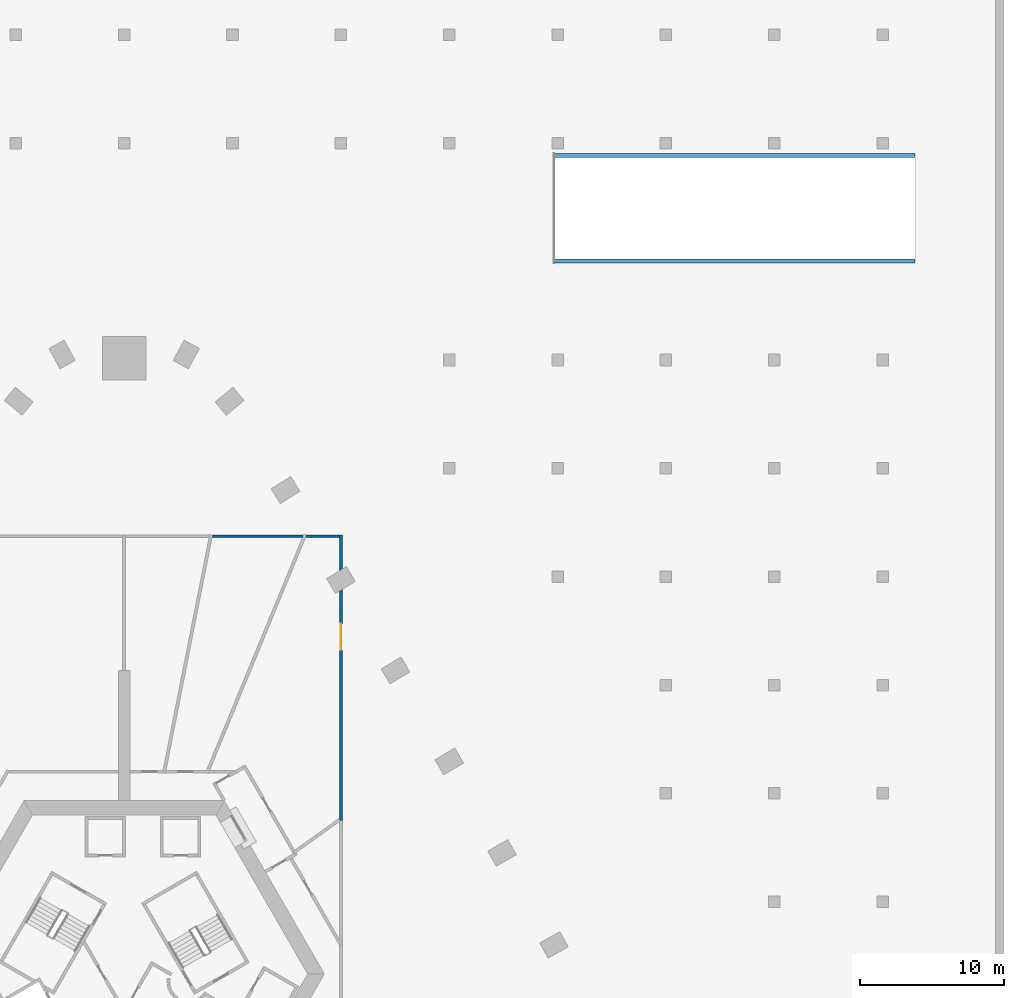
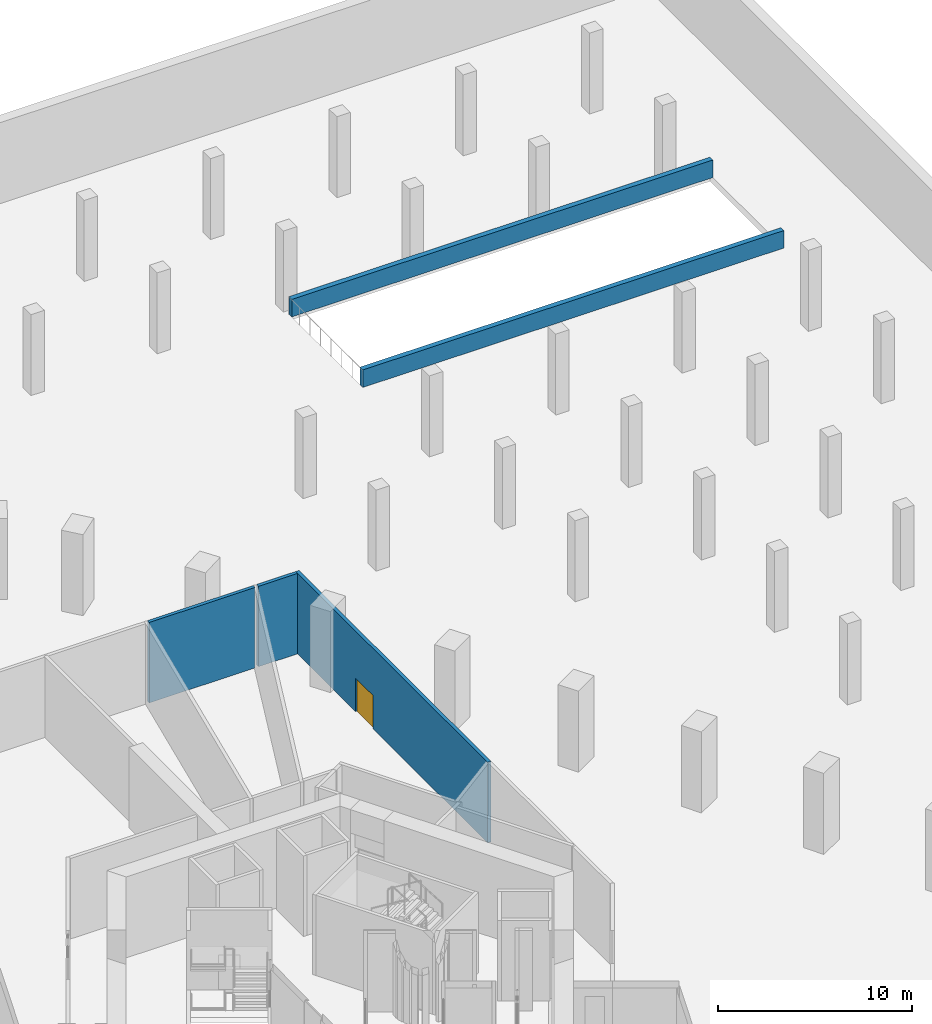
# One storey, part 8 of 12: 5 walls, 1 door, 1 opening.
"""IFC4 building model written with IfcOpenShell, lengths in metres."""

import ifcopenshell
import ifcopenshell.guid

model = None  # the IFC model being written
_history = None  # IfcOwnerHistory: only IFC2X3 demands one
_inside = {}  # id of a spatial element -> (the spatial element, [elements in it])
_under = {}  # id of a project, library or spatial element -> (it, [spatial elements below it])
_declared = {}  # id of a project -> (the project, [libraries it declares])
_typed = {}  # id of a type object -> (the type object, [elements of that type])
_made_of = {}  # id of a material, layer set ... -> (it, [elements and type objects made of it])


def new_model(schema):
    """Start an empty IFC model of exactly this schema.

    Asked for "IFC4X3", IfcOpenShell would pick the latest addendum, in which some entities
    have other attributes; the version numbers below select the first issue.
    IFC2X3 requires an IfcOwnerHistory on every rooted entity: one is made here for all.
    """
    global model, _history
    if schema == "IFC4X3":
        model = ifcopenshell.file(schema_version=(4, 3, 0, 0))
    else:
        model = ifcopenshell.file(schema=schema)
    _inside.clear()
    _under.clear()
    _declared.clear()
    _typed.clear()
    _made_of.clear()
    _history = None
    if model.schema == "IFC2X3":
        org = make("IfcOrganization", Name="unknown")
        user = make(
            "IfcPersonAndOrganization",
            ThePerson=make("IfcPerson", FamilyName="unknown"),
            TheOrganization=org,
        )
        app = make(
            "IfcApplication",
            ApplicationDeveloper=org,
            Version="unknown",
            ApplicationFullName="unknown",
            ApplicationIdentifier="unknown",
        )
        _history = make(
            "IfcOwnerHistory",
            OwningUser=user,
            OwningApplication=app,
            ChangeAction="ADDED",
            CreationDate=0,
        )
    return model


def make(cls, **values):
    """One entity of the class cls with the attributes given. An attribute that is None is left unset."""
    return model.create_entity(
        cls, **{name: value for name, value in values.items() if value is not None}
    )


def rooted(cls, **values):
    """An entity with a GlobalId (a new one), such as an element, a storey or a relation."""
    return make(cls, GlobalId=ifcopenshell.guid.new(), OwnerHistory=_history, **values)


def si_unit(unit_type, name, prefix=None):
    """IfcSIUnit, for example si_unit("LENGTHUNIT", "METRE", prefix="MILLI")."""
    return make("IfcSIUnit", UnitType=unit_type, Prefix=prefix, Name=name)


def assignment(units):
    """IfcUnitAssignment: the units of a project."""
    return None if units is None else make("IfcUnitAssignment", Units=units)


def point(xyz):
    """IfcCartesianPoint."""
    return None if xyz is None else make("IfcCartesianPoint", Coordinates=xyz)


def direction(xyz):
    """IfcDirection."""
    return None if xyz is None else make("IfcDirection", DirectionRatios=xyz)


def frame(location, z_axis=None, x_axis=None):
    """IfcAxis2Placement3D, a coordinate frame: its origin and axes. An axis left out is left unset."""
    return make(
        "IfcAxis2Placement3D",
        Location=point(location),
        Axis=direction(z_axis),
        RefDirection=direction(x_axis),
    )


def frame_2d(location, x_axis=None):
    """IfcAxis2Placement2D, a coordinate frame in the plane: its origin and x axis."""
    return make(
        "IfcAxis2Placement2D", Location=point(location), RefDirection=direction(x_axis)
    )


def origin():
    """The frame at (0, 0, 0) with its axes left unset."""
    return frame((0.0, 0.0, 0.0))


def place(relative_to, where):
    """IfcLocalPlacement: puts the frame where relative to a parent placement (None: the world)."""
    return make(
        "IfcLocalPlacement", PlacementRelTo=relative_to, RelativePlacement=where
    )


def context(
    kind, dimensions, precision=None, world=None, true_north=None, identifier=None
):
    """IfcGeometricRepresentationContext, for example the 3D "Model" context."""
    return make(
        "IfcGeometricRepresentationContext",
        ContextIdentifier=identifier,
        ContextType=kind,
        CoordinateSpaceDimension=dimensions,
        Precision=precision,
        WorldCoordinateSystem=world,
        TrueNorth=true_north,
    )


def subcontext(parent, identifier, kind, view, scale=None):
    """IfcGeometricRepresentationSubContext, for example "Body" below "Model"."""
    return make(
        "IfcGeometricRepresentationSubContext",
        ContextIdentifier=identifier,
        ContextType=kind,
        ParentContext=parent,
        TargetScale=scale,
        TargetView=view,
    )


def project(units=None, contexts=None):
    """IfcProject with its units and contexts."""
    return rooted(
        "IfcProject",
        Name="project",
        RepresentationContexts=contexts,
        UnitsInContext=assignment(units),
    )


def spatial(cls, under=None, at=None, **own):
    """A site, building, storey or space (cls), placed at a placement, below another one or the project."""
    s = rooted(cls, ObjectPlacement=at, **own)
    if under is not None:
        _under.setdefault(under.id(), (under, []))[1].append(s)
    return s


def profile(cls, at=None, kind="AREA", **sizes):
    """A parametric profile (cls). Its sizes go by their IFC names, for example OverallWidth=200.0."""
    return make(cls, ProfileType=kind, Position=at, **sizes)


def rectangle(**sizes):
    """IfcRectangleProfileDef."""
    return profile("IfcRectangleProfileDef", **sizes)


def extrude(swept, where, along, depth):
    """IfcExtrudedAreaSolid: the profile swept, set in the frame where, extruded along a direction by depth."""
    return make(
        "IfcExtrudedAreaSolid",
        SweptArea=swept,
        Position=where,
        ExtrudedDirection=direction(along),
        Depth=depth,
    )


def shape(context_of_items, identifier, shape_type, items):
    """IfcShapeRepresentation: the items that make up one representation, for example the "Body"."""
    return make(
        "IfcShapeRepresentation",
        ContextOfItems=context_of_items,
        RepresentationIdentifier=identifier,
        RepresentationType=shape_type,
        Items=items,
    )


def material(Name=None, Category=None):
    """IfcMaterial."""
    return make("IfcMaterial", Name=Name, Category=Category)


def layer(
    of_material, thickness, ventilated=None, Name=None, Category=None, Priority=None
):
    """IfcMaterialLayer: one layer of a wall or slab, of a material (None: an air gap)."""
    return make(
        "IfcMaterialLayer",
        Material=of_material,
        LayerThickness=thickness,
        IsVentilated=ventilated,
        Name=Name,
        Category=Category,
        Priority=Priority,
    )


def layer_set(layers, Name=None):
    """IfcMaterialLayerSet."""
    return make("IfcMaterialLayerSet", MaterialLayers=layers, LayerSetName=Name)


def made_of(thing, what):
    """Note that an element or type object is made of a material, layer set ...; save() writes the relation."""
    if what is not None:
        _made_of.setdefault(what.id(), (what, []))[1].append(thing)
    return thing


def type_object(cls, material=None, **own):
    """A type object (cls), such as IfcWallType, which elements share."""
    return made_of(rooted(cls, **own), material)


def element(
    cls,
    number,
    at=None,
    inside=None,
    cuts=None,
    type_object=None,
    material=None,
    context=None,
    identifier="Body",
    shape_type=None,
    held_by="IfcProductDefinitionShape",
    body=None,
    shapes=None,
    **own,
):
    """One element of the class cls, such as IfcWall. Its Tag is "e" and its number.

    at: its placement. inside: the storey or other place that contains it. cuts: it is an
    opening in that element (IfcRelVoidsElement). A single representation is given by context,
    identifier, shape_type and body (its items); several are given by shapes. held_by: the class
    of the entity that holds the representations. save() writes the other relations.
    """
    e = rooted(cls, Tag="e%d" % number, ObjectPlacement=at, **own)
    if body is not None:
        shapes = [shape(context, identifier, shape_type, body)]
    if shapes is not None:
        e.Representation = make(held_by, Representations=shapes)
    if inside is not None:
        _inside.setdefault(inside.id(), (inside, []))[1].append(e)
    if cuts is not None:
        rooted(
            "IfcRelVoidsElement", RelatingBuildingElement=cuts, RelatedOpeningElement=e
        )
    if type_object is not None:
        _typed.setdefault(type_object.id(), (type_object, []))[1].append(e)
    return made_of(e, material)


def fill(opening, filler):
    """IfcRelFillsElement: the door or window that sits in an opening."""
    return rooted(
        "IfcRelFillsElement",
        RelatingOpeningElement=opening,
        RelatedBuildingElement=filler,
    )


def aggregate(whole, parts):
    """IfcRelAggregates: a whole, such as a stair, and the parts it consists of."""
    return rooted("IfcRelAggregates", RelatingObject=whole, RelatedObjects=parts)


def save(model, path):
    """Write the relations noted so far, then the file.

    IfcRelAggregates (storeys below a building ...), IfcRelContainedInSpatialStructure (elements
    in a storey), IfcRelDefinesByType, IfcRelAssociatesMaterial and IfcRelDeclares: one each for
    every whole, place, type object, material and project.
    """
    for whole, parts in _under.values():
        aggregate(whole, parts)
    for where, things in _inside.values():
        rooted(
            "IfcRelContainedInSpatialStructure",
            RelatedElements=things,
            RelatingStructure=where,
        )
    for kind, things in _typed.values():
        rooted("IfcRelDefinesByType", RelatedObjects=things, RelatingType=kind)
    for what, things in _made_of.values():
        rooted("IfcRelAssociatesMaterial", RelatedObjects=things, RelatingMaterial=what)
    for by, libraries in _declared.values():
        rooted("IfcRelDeclares", RelatingContext=by, RelatedDefinitions=libraries)
    model.write(path)


model = new_model("IFC4")

# Units and contexts
model_context = context("Model", 3, precision=1e-05, world=origin(), true_north=direction((0.0, 1.0)))
body_context = subcontext(model_context, "Body", "Model", "MODEL_VIEW")
ifc_project = project(units=[si_unit("LENGTHUNIT", "METRE"), si_unit("AREAUNIT", "SQUARE_METRE"), si_unit("VOLUMEUNIT", "CUBIC_METRE"), si_unit("PLANEANGLEUNIT", "RADIAN"), si_unit("MASSUNIT", "GRAM", prefix="KILO")], contexts=[model_context])

# Site, building, storey
site_placement = place(None, origin())
site = spatial("IfcSite", under=ifc_project, at=site_placement, CompositionType="ELEMENT")
building_placement = place(site_placement, origin())
building = spatial("IfcBuilding", under=site, at=building_placement, Name="Entoto Arch Interchange Tower", CompositionType="ELEMENT")
storey_placement = place(building_placement, frame((0.0, 0.0, -11.0)))
storey = spatial("IfcBuildingStorey", under=building, at=storey_placement, Name="B2", CompositionType="ELEMENT", Elevation=-11.0)

# Walls
ifc_material_1 = material(Name="Concrete C40/50", Category="concrete")
ifc_layer_1 = layer(ifc_material_1, 0.300048828125)
ifc_layer_set_1 = layer_set([ifc_layer_1], Name="Concrete C40/50")
wall_type_1 = type_object("IfcWallType", Name="Car ramp kerb wall 300 C40/50", PredefinedType="SOLIDWALL", material=ifc_layer_set_1)
for number, where, z_axis, x_axis, name in (
    (1, (29.75, 51.85009765625, 0.0), (0.0, 0.0, 1.0), (1.0, 0.0, 0.0), "Car ramp R3 parapet wall"),
    (2, (29.75, 59.14990234375, 0.0), (0.0, 0.0, 1.0), (1.0, 0.0, 0.0), "Car ramp R3 parapet wall"),
):
    element("IfcWall", number, at=place(storey_placement, frame(where, z_axis=z_axis, x_axis=x_axis)), inside=storey, type_object=wall_type_1, Name=name, PredefinedType="SOLIDWALL", context=body_context, shape_type="SweptSolid", body=[
        extrude(rectangle(XDim=25.0, YDim=0.300048828125, at=frame_2d((12.5, 0.0))), origin(), (0.0, 0.0, 1.0), 1.10009765625),
    ])
ifc_material_2 = material(Name="Gypsum board partition on steel studs", Category="steel")
ifc_layer_2 = layer(ifc_material_2, 0.199951171875)
ifc_layer_set_2 = layer_set([ifc_layer_2], Name="Gypsum board partition on steel studs")
wall_type_2 = type_object("IfcWallType", Name="PARTITION 200", PredefinedType="PARTITIONING", material=ifc_layer_set_2)
wall_1_placement = place(storey_placement, frame((12.590087890625, 32.800048828125, 0.0), z_axis=(0.0, 0.0, 1.0), x_axis=(1.0, 0.0, 0.0)))
element("IfcWall", 3, at=wall_1_placement, inside=storey, type_object=wall_type_2, Name="wall:B2:p042", PredefinedType="PARTITIONING", context=body_context, shape_type="SweptSolid", body=[
    extrude(rectangle(XDim=2.309814453125, YDim=0.199951171875, at=frame_2d((1.15478515625, 0.0))), origin(), (0.0, 0.0, 1.0), 5.050048828125),
])

# Wall, opening, door
wall_2_placement = place(storey_placement, frame((15.0, 32.89990234375, 0.0), z_axis=(0.0, 0.0, 1.0), x_axis=(0.0, -1.0, 0.0)))
wall_2 = element("IfcWall", 4, at=wall_2_placement, inside=storey, type_object=wall_type_2, Name="wall:B2:p043", PredefinedType="PARTITIONING", context=body_context, shape_type="SweptSolid", body=[
    extrude(rectangle(XDim=19.761962890625, YDim=0.199951171875, at=frame_2d((9.880859375, 0.0))), origin(), (0.0, 0.0, 1.0), 5.050048828125),
])
opening_placement = place(wall_2_placement, frame((6.16796875, 0.0, 0.0)))
opening = element("IfcOpeningElement", 5, at=opening_placement, cuts=wall_2, Name="Opening B2-D21", PredefinedType="OPENING", context=body_context, shape_type="SweptSolid", body=[
    extrude(rectangle(XDim=1.800048828125, YDim=2.10009765625, at=frame_2d((0.89990234375, 1.050048828125))), frame((0.0, 0.10986328125, 0.0), z_axis=(0.0, -1.0, 0.0), x_axis=(1.0, 0.0, 0.0)), (0.0, 0.0, 1.0), 0.219970703125),
])
ifc_material_3 = material(Name="Timber door leaf in Steel S235 frame", Category="steel")
door_type = type_object("IfcDoorType", Name="DOOR DD-18 1800x2100", OperationType="DOUBLE_DOOR_SINGLE_SWING", PredefinedType="DOOR", material=ifc_material_3)
door_placement = place(opening_placement, origin())
door = element("IfcDoor", 6, at=door_placement, inside=storey, type_object=door_type, Name="door:B2:21", OperationType="DOUBLE_DOOR_SINGLE_SWING", OverallHeight=2.10009765625, OverallWidth=1.800048828125, PredefinedType="DOOR", context=body_context, shape_type="SweptSolid", body=[
    extrude(rectangle(XDim=1.800048828125, YDim=2.10009765625, at=frame_2d((0.89990234375, 1.050048828125))), frame((0.0, 0.02490234375, 0.0), z_axis=(0.0, -1.0, 0.0), x_axis=(1.0, 0.0, 0.0)), (0.0, 0.0, 1.0), 0.050048828125),
])
fill(opening, door)

# Wall
wall_3_placement = place(storey_placement, frame((6.10009765625, 32.800048828125, 0.0), z_axis=(0.0, 0.0, 1.0), x_axis=(1.0, 0.0, 0.0)))
element("IfcWall", 7, at=wall_3_placement, inside=storey, type_object=wall_type_2, Name="wall:B2:p046", PredefinedType="PARTITIONING", context=body_context, shape_type="SweptSolid", body=[
    extrude(rectangle(XDim=6.289794921875, YDim=0.199951171875, at=frame_2d((3.14501953125, 0.0))), origin(), (0.0, 0.0, 1.0), 5.050048828125),
])

save(model, "model.ifc")
